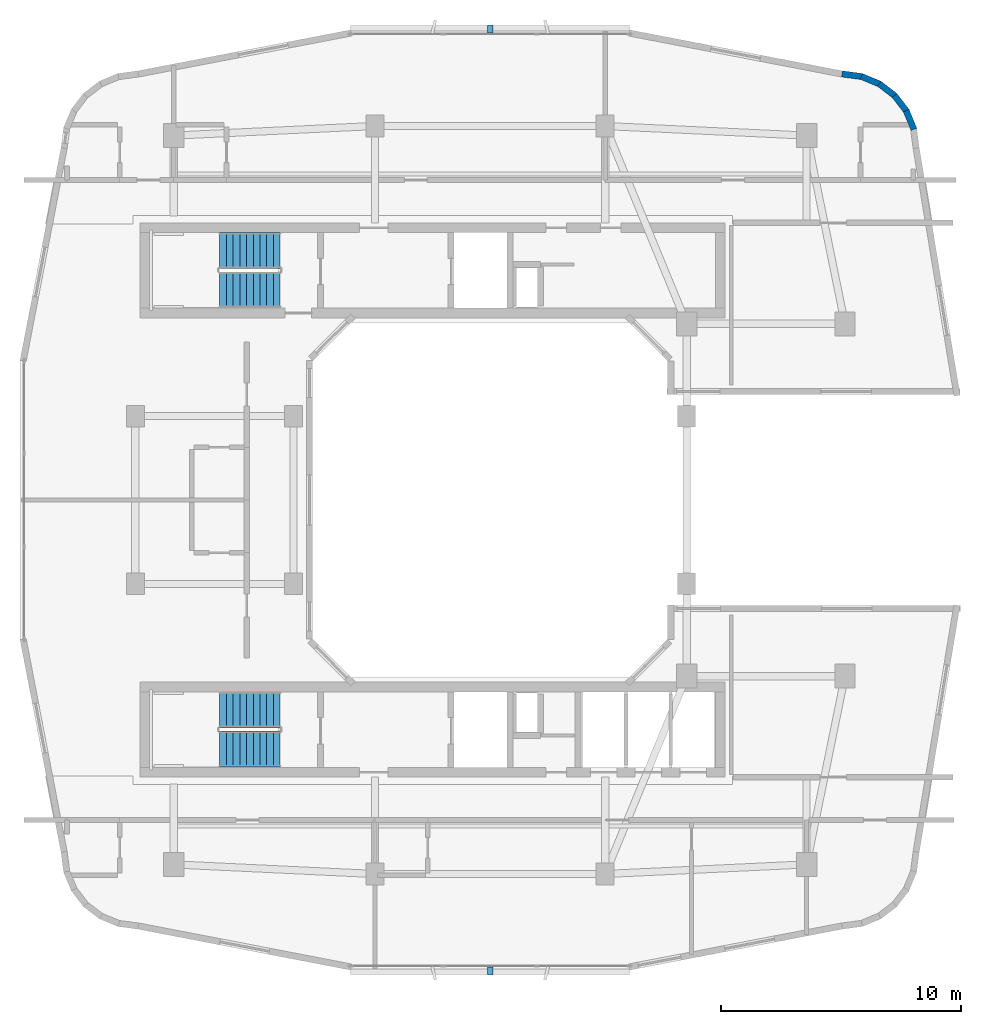
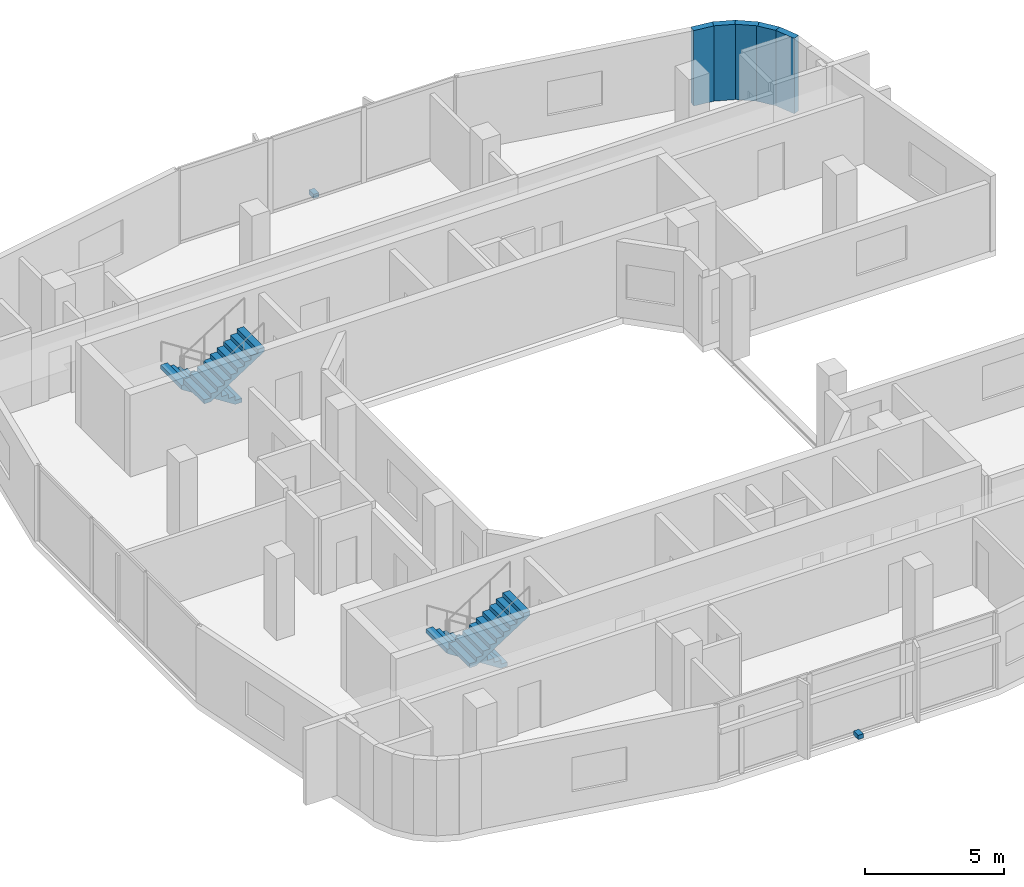
# One storey, part 8 of 12: 5 walls, 4 stair flights, 2 discrete accessories, 2 elements without a shape of their own.
"""IFC4 building model written with IfcOpenShell, lengths in metres."""

from ifc_helpers import new_model, si_unit, derived_unit, direction, frame, frame_2d, origin, origin_2d, place, context, subcontext, project, spatial, polyline, rectangle, outline, extrude, material, layer, layer_set, type_object, element, aggregate, save


model = new_model("IFC4")

# Units and contexts
model_context = context("Model", 3, precision=1e-05, world=origin(), true_north=direction((0.0, 1.0)))
body_context = subcontext(model_context, "Body", "Model", "MODEL_VIEW")
ifc_project = project(units=[si_unit("LENGTHUNIT", "METRE"), si_unit("AREAUNIT", "SQUARE_METRE"), si_unit("VOLUMEUNIT", "CUBIC_METRE"), si_unit("PLANEANGLEUNIT", "RADIAN"), si_unit("MASSUNIT", "GRAM", prefix="KILO"), derived_unit("THERMALTRANSMITTANCEUNIT", [(si_unit("POWERUNIT", "WATT"), 1), (si_unit("LENGTHUNIT", "METRE"), -2), (si_unit("THERMODYNAMICTEMPERATUREUNIT", "KELVIN"), -1)])], contexts=[model_context])

# Site, building, storey
site_placement = place(None, origin())
site = spatial("IfcSite", under=ifc_project, at=site_placement, CompositionType="ELEMENT")
building_placement = place(site_placement, origin())
building = spatial("IfcBuilding", under=site, at=building_placement, Name="Kivonza Crest Hotel", CompositionType="ELEMENT")
storey_placement = place(building_placement, frame((0.0, 0.0, 191.89990234375)))
storey = spatial("IfcBuildingStorey", under=building, at=storey_placement, Name="L52", CompositionType="ELEMENT", Elevation=191.89990234375)

# Walls
ifc_material_1 = material(Name="Precast concrete C40/50", Category="concrete")
ifc_layer = layer(ifc_material_1, 0.260009765625)
ifc_layer_set = layer_set([ifc_layer], Name="Precast concrete C40/50")
wall_type = type_object("IfcWallType", Name="WL-EXT-260", PredefinedType="STANDARD", material=ifc_layer_set)
wall_1_placement = place(storey_placement, frame((38.680908203125, 40.455078125, 0.0), z_axis=(0.0, 0.0, 1.0), x_axis=(-0.383086687796, 0.923712395518, 0.0)))
element("IfcWall", 1, at=wall_1_placement, inside=storey, type_object=wall_type, Name="L52 T1 exterior insulated wall 30", PredefinedType="STANDARD", context=body_context, shape_type="SweptSolid", body=[
    extrude(rectangle(XDim=0.850830078125, YDim=0.260009765625, at=frame_2d((0.42529296875, 0.0))), origin(), (0.0, 0.0, 1.0), 3.320068359375),
])
for number, where, z_axis, x_axis, name in (
    (2, (38.383056640625, 41.200927734375, 0.0), (0.0, 0.0, 1.0), (-0.608099977432, 0.793860452124, 0.0), "L52 T1 exterior insulated wall 31"),
    (3, (37.904052734375, 41.844970703125, 0.0), (0.0, 0.0, 1.0), (-0.793860452124, 0.608099977432, 0.0), "L52 T1 exterior insulated wall 32"),
):
    element("IfcWall", number, at=place(storey_placement, frame(where, z_axis=z_axis, x_axis=x_axis)), inside=storey, type_object=wall_type, Name=name, PredefinedType="STANDARD", context=body_context, shape_type="SweptSolid", body=[
        extrude(rectangle(XDim=0.850341796875, YDim=0.260009765625, at=frame_2d((0.42529296875, 0.0))), origin(), (0.0, 0.0, 1.0), 3.320068359375),
    ])
wall_2_placement = place(storey_placement, frame((37.27294921875, 42.341064453125, 0.0), z_axis=(0.0, 0.0, 1.0), x_axis=(-0.923712395518, 0.383086687796, 0.0)))
element("IfcWall", 4, at=wall_2_placement, inside=storey, type_object=wall_type, Name="L52 T1 exterior insulated wall 33", PredefinedType="STANDARD", context=body_context, shape_type="SweptSolid", body=[
    extrude(rectangle(XDim=0.850830078125, YDim=0.260009765625, at=frame_2d((0.42529296875, 0.0))), origin(), (0.0, 0.0, 1.0), 3.320068359375),
])
wall_3_placement = place(storey_placement, frame((36.535888671875, 42.658935546875, 0.0), z_axis=(0.0, 0.0, 1.0), x_axis=(-0.991488716273, 0.130192647656, 0.0)))
element("IfcWall", 5, at=wall_3_placement, inside=storey, type_object=wall_type, Name="L52 T1 exterior insulated wall 34", PredefinedType="STANDARD", context=body_context, shape_type="SweptSolid", body=[
    extrude(rectangle(XDim=0.8681640625, YDim=0.260009765625, at=frame_2d((0.43408203125, 0.0))), origin(), (0.0, 0.0, 1.0), 3.320068359375),
])

# Stair, stair flights
ifc_material_2 = material(Name="Concrete C40/50", Category="concrete")
stair_type = type_object("IfcStairType", Name="ST-DL-20R", PredefinedType="HALF_TURN_STAIR", material=ifc_material_2)
stair_1_placement = place(storey_placement, origin())
stair_1 = element("IfcStair", 6, at=stair_1_placement, inside=storey, type_object=stair_type, Name="L52 Protected Exit Stair ST-T1-N", PredefinedType="HALF_TURN_STAIR")
stair_flight_type = type_object("IfcStairFlightType", Name="SFL-RC-10R", PredefinedType="STRAIGHT", material=ifc_material_2)
stair_flight_1_placement = place(storey_placement, frame((12.239990234375, 35.409912109375, 0.0), z_axis=(0.0, 0.0, 1.0), x_axis=(-1.0, 0.0, 0.0)))
stair_flight_1 = element("IfcStairFlight", 7, at=stair_flight_1_placement, type_object=stair_flight_type, Name="ST-T1-N flight 1", NumberOfRisers=10, NumberOfTreads=9, PredefinedType="STRAIGHT", RiserHeight=0.18, TreadLength=0.28, context=body_context, shape_type="SweptSolid", body=[
    extrude(outline(polyline([(0.0, 0.0), (0.0, 0.179931640625), (0.280029296875, 0.179931640625), (0.280029296875, 0.360107421875), (0.56005859375, 0.360107421875), (0.56005859375, 0.5400390625), (0.840087890625, 0.5400390625), (0.840087890625, 0.719970703125), (1.1201171875, 0.719970703125), (1.1201171875, 0.89990234375), (1.39990234375, 0.89990234375), (1.39990234375, 1.080078125), (1.679931640625, 1.080078125), (1.679931640625, 1.260009765625), (1.9599609375, 1.260009765625), (1.9599609375, 1.43994140625), (2.239990234375, 1.43994140625), (2.239990234375, 1.6201171875), (2.52001953125, 1.6201171875), (2.52001953125, 1.800048828125), (2.52001953125, 1.44189453125), (0.277099609375, 0.0), (0.0, 0.0)])), frame((0.0, 0.75, 0.0), z_axis=(0.0, -1.0, 0.0), x_axis=(1.0, 0.0, 0.0)), (0.0, 0.0, 1.0), 1.5),
])
stair_flight_2_placement = place(storey_placement, frame((9.719970703125, 33.77001953125, 1.800048828125), z_axis=(0.0, 0.0, 1.0), x_axis=(1.0, 0.0, 0.0)))
stair_flight_2 = element("IfcStairFlight", 8, at=stair_flight_2_placement, type_object=stair_flight_type, Name="ST-T1-N flight 2", NumberOfRisers=10, NumberOfTreads=9, PredefinedType="STRAIGHT", RiserHeight=0.18, TreadLength=0.28, context=body_context, shape_type="SweptSolid", body=[
    extrude(outline(polyline([(0.0, 0.0), (0.0, 0.179931640625), (0.280029296875, 0.179931640625), (0.280029296875, 0.360107421875), (0.56005859375, 0.360107421875), (0.56005859375, 0.5400390625), (0.840087890625, 0.5400390625), (0.840087890625, 0.719970703125), (1.1201171875, 0.719970703125), (1.1201171875, 0.89990234375), (1.39990234375, 0.89990234375), (1.39990234375, 1.080078125), (1.679931640625, 1.080078125), (1.679931640625, 1.260009765625), (1.9599609375, 1.260009765625), (1.9599609375, 1.43994140625), (2.239990234375, 1.43994140625), (2.239990234375, 1.6201171875), (2.52001953125, 1.6201171875), (2.52001953125, 1.800048828125), (2.52001953125, 1.44189453125), (0.277099609375, 0.0), (0.0, 0.0)])), frame((0.0, 0.75, 0.0), z_axis=(0.0, -1.0, 0.0), x_axis=(1.0, 0.0, 0.0)), (0.0, 0.0, 1.0), 1.5),
])
aggregate(stair_1, [stair_flight_1, stair_flight_2])

stair_2_placement = place(storey_placement, origin())
stair_2 = element("IfcStair", 9, at=stair_2_placement, inside=storey, type_object=stair_type, Name="L52 Protected Exit Stair ST-T1-S", PredefinedType="HALF_TURN_STAIR")
stair_flight_3_placement = place(storey_placement, frame((12.239990234375, 16.25, 0.0), z_axis=(0.0, 0.0, 1.0), x_axis=(-1.0, 0.0, 0.0)))
stair_flight_3 = element("IfcStairFlight", 10, at=stair_flight_3_placement, type_object=stair_flight_type, Name="ST-T1-S flight 1", NumberOfRisers=10, NumberOfTreads=9, PredefinedType="STRAIGHT", RiserHeight=0.18, TreadLength=0.28, context=body_context, shape_type="SweptSolid", body=[
    extrude(outline(polyline([(0.0, 0.0), (0.0, 0.179931640625), (0.280029296875, 0.179931640625), (0.280029296875, 0.360107421875), (0.56005859375, 0.360107421875), (0.56005859375, 0.5400390625), (0.840087890625, 0.5400390625), (0.840087890625, 0.719970703125), (1.1201171875, 0.719970703125), (1.1201171875, 0.89990234375), (1.39990234375, 0.89990234375), (1.39990234375, 1.080078125), (1.679931640625, 1.080078125), (1.679931640625, 1.260009765625), (1.9599609375, 1.260009765625), (1.9599609375, 1.43994140625), (2.239990234375, 1.43994140625), (2.239990234375, 1.6201171875), (2.52001953125, 1.6201171875), (2.52001953125, 1.800048828125), (2.52001953125, 1.44189453125), (0.277099609375, 0.0), (0.0, 0.0)])), frame((0.0, 0.75, 0.0), z_axis=(0.0, -1.0, 0.0), x_axis=(1.0, 0.0, 0.0)), (0.0, 0.0, 1.0), 1.5),
])
stair_flight_4_placement = place(storey_placement, frame((9.719970703125, 14.610107421875, 1.800048828125), z_axis=(0.0, 0.0, 1.0), x_axis=(1.0, 0.0, 0.0)))
stair_flight_4 = element("IfcStairFlight", 11, at=stair_flight_4_placement, type_object=stair_flight_type, Name="ST-T1-S flight 2", NumberOfRisers=10, NumberOfTreads=9, PredefinedType="STRAIGHT", RiserHeight=0.18, TreadLength=0.28, context=body_context, shape_type="SweptSolid", body=[
    extrude(outline(polyline([(0.0, 0.0), (0.0, 0.179931640625), (0.280029296875, 0.179931640625), (0.280029296875, 0.360107421875), (0.56005859375, 0.360107421875), (0.56005859375, 0.5400390625), (0.840087890625, 0.5400390625), (0.840087890625, 0.719970703125), (1.1201171875, 0.719970703125), (1.1201171875, 0.89990234375), (1.39990234375, 0.89990234375), (1.39990234375, 1.080078125), (1.679931640625, 1.080078125), (1.679931640625, 1.260009765625), (1.9599609375, 1.260009765625), (1.9599609375, 1.43994140625), (2.239990234375, 1.43994140625), (2.239990234375, 1.6201171875), (2.52001953125, 1.6201171875), (2.52001953125, 1.800048828125), (2.52001953125, 1.44189453125), (0.277099609375, 0.0), (0.0, 0.0)])), frame((0.0, 0.75, 0.0), z_axis=(0.0, -1.0, 0.0), x_axis=(1.0, 0.0, 0.0)), (0.0, 0.0, 1.0), 1.5),
])
aggregate(stair_2, [stair_flight_3, stair_flight_4])

# Discrete accessories
ifc_material_3 = material(Name="Stainless steel 316", Category="steel")
discrete_accessory_type = type_object("IfcDiscreteAccessoryType", Name="AC-BRACKET-240", PredefinedType="BRACKET", material=ifc_material_3)
for number, where, z_axis, x_axis, name in (
    (12, (21.0, 5.360107421875, -0.009765625), (0.0, 0.0, 1.0), (1.0, 0.0, 0.0), "L52 terracotta baguette support bracket CW-T1-L52-08"),
    (13, (21.0, 44.639892578125, -0.009765625), (0.0, 0.0, 1.0), (-1.0, 0.0, 0.0), "L52 terracotta baguette support bracket CW-T1-L52-36"),
):
    element("IfcDiscreteAccessory", number, at=place(storey_placement, frame(where, z_axis=z_axis, x_axis=x_axis)), inside=storey, type_object=discrete_accessory_type, Name=name, PredefinedType="BRACKET", context=body_context, shape_type="SweptSolid", body=[
        extrude(rectangle(XDim=0.219970703125, YDim=0.340087890625, at=origin_2d()), origin(), (0.0, 0.0, 1.0), 0.179931640625),
    ])

save(model, "model.ifc")
